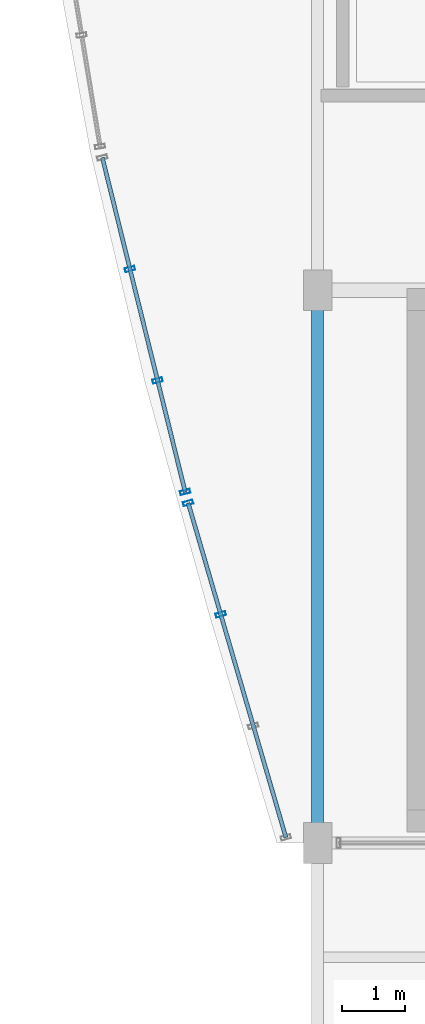
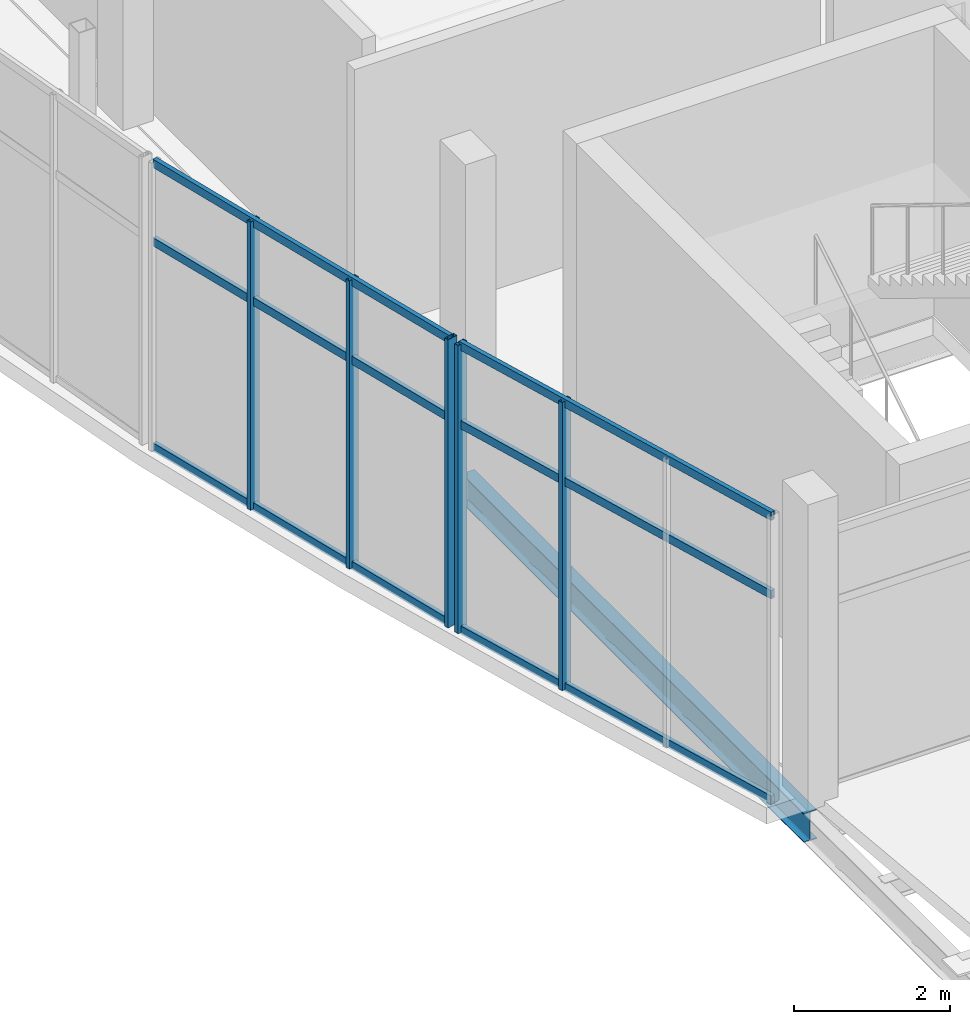
# One storey, part 15 of 157: 11 members, 1 beam, 2 elements without a shape of their own.
"""IFC4 building model written with IfcOpenShell, lengths in metres."""

from ifc_helpers import new_model, si_unit, direction, frame, origin, origin_2d, place, context, subcontext, project, spatial, hollow_rectangle, i_section, extrude, material, layer, layer_set, material_profile, profile_set, type_object, element, aggregate, save


model = new_model("IFC4")

# Units and contexts
model_context = context("Model", 3, precision=1e-05, world=origin(), true_north=direction((0.0, 1.0)))
body_context = subcontext(model_context, "Body", "Model", "MODEL_VIEW")
ifc_project = project(units=[si_unit("LENGTHUNIT", "METRE"), si_unit("AREAUNIT", "SQUARE_METRE"), si_unit("VOLUMEUNIT", "CUBIC_METRE"), si_unit("PLANEANGLEUNIT", "RADIAN"), si_unit("MASSUNIT", "GRAM", prefix="KILO")], contexts=[model_context])

# Site, building, storey
site_placement = place(None, origin())
site = spatial("IfcSite", under=ifc_project, at=site_placement, CompositionType="ELEMENT")
building_placement = place(site_placement, origin())
building = spatial("IfcBuilding", under=site, at=building_placement, Name="Chalmorin Arch Market", CompositionType="ELEMENT")
storey_placement = place(building_placement, frame((0.0, 0.0, 4.800048828125)))
storey = spatial("IfcBuildingStorey", under=building, at=storey_placement, Name="L01", CompositionType="ELEMENT", Elevation=4.800048828125)

# Curtain wall, members
ifc_material_1 = material(Name="Aluminium 6063-T6", Category="aluminium")
ifc_layer_1 = layer(ifc_material_1, 0.159912109375)
ifc_layer_set_1 = layer_set([ifc_layer_1], Name="Aluminium 6063-T6")
curtain_wall_type_1 = type_object("IfcCurtainWallType", Name="RiverfrontStorefrontCurtainWall-CW2-5550x4520", PredefinedType="NOTDEFINED", material=ifc_layer_set_1)
curtain_wall_1_placement = place(storey_placement, origin())
curtain_wall_1 = element("IfcCurtainWall", 1, at=curtain_wall_1_placement, inside=storey, type_object=curtain_wall_type_1, Name="CW-02-046", PredefinedType="NOTDEFINED")
ifc_material_profile_1 = material_profile(ifc_material_1, hollow_rectangle(XDim=0.06494140625, YDim=0.159912109375, WallThickness=0.00390625, at=origin_2d()), Name="ALU65X160X4")
ifc_profile_set_1 = profile_set([ifc_material_profile_1], Name="Aluminium 6063-T6")
member_type_1 = type_object("IfcMemberType", Name="CurtainWallMullion-65x160", PredefinedType="MULLION", material=ifc_profile_set_1)
member_1_placement = place(storey_placement, frame((-1.54296875, 9.637939453125, 0.0), z_axis=(0.0, 0.0, 1.0), x_axis=(-0.275637355817, 0.961261695938, 0.0)))
member_1 = element("IfcMember", 2, at=member_1_placement, type_object=member_type_1, Name="ML-046-03", PredefinedType="MULLION", context=body_context, shape_type="SweptSolid", body=[
    extrude(hollow_rectangle(XDim=0.06494140625, YDim=0.159912109375, WallThickness=0.00390625, at=origin_2d()), origin(), (0.0, 0.0, 1.0), 4.52001953125),
])
member_2_placement = place(storey_placement, frame((-2.061767578125, 11.41357421875, 0.0), z_axis=(0.0, 0.0, 1.0), x_axis=(-0.275637355817, 0.961261695938, 0.0)))
member_2 = element("IfcMember", 3, at=member_2_placement, type_object=member_type_1, Name="ML-046-04", PredefinedType="MULLION", context=body_context, shape_type="SweptSolid", body=[
    extrude(hollow_rectangle(XDim=0.06494140625, YDim=0.159912109375, WallThickness=0.00390625, at=origin_2d()), origin(), (0.0, 0.0, 1.0), 4.52001953125),
])

ifc_layer_2 = layer(ifc_material_1, 0.159912109375)
ifc_layer_set_2 = layer_set([ifc_layer_2], Name="Aluminium 6063-T6")
curtain_wall_type_2 = type_object("IfcCurtainWallType", Name="RiverfrontStorefrontCurtainWall-CW2-5490x4520", PredefinedType="NOTDEFINED", material=ifc_layer_set_2)
curtain_wall_2_placement = place(storey_placement, origin())
curtain_wall_2 = element("IfcCurtainWall", 4, at=curtain_wall_2_placement, inside=storey, type_object=curtain_wall_type_2, Name="CW-02-049", PredefinedType="NOTDEFINED")
member_3_placement = place(storey_placement, frame((-2.108642578125, 11.58740234375, 0.0), z_axis=(0.0, 0.0, 1.0), x_axis=(-0.2419218956, 0.970295726276, 0.0)))
member_3 = element("IfcMember", 5, at=member_3_placement, type_object=member_type_1, Name="ML-049-01", PredefinedType="MULLION", context=body_context, shape_type="SweptSolid", body=[
    extrude(hollow_rectangle(XDim=0.06494140625, YDim=0.159912109375, WallThickness=0.00390625, at=origin_2d()), origin(), (0.0, 0.0, 1.0), 4.52001953125),
])
member_4_placement = place(storey_placement, frame((-2.548583984375, 13.362548828125, 0.0), z_axis=(0.0, 0.0, 1.0), x_axis=(-0.2419218956, 0.970295726276, 0.0)))
member_4 = element("IfcMember", 6, at=member_4_placement, type_object=member_type_1, Name="ML-049-02", PredefinedType="MULLION", context=body_context, shape_type="SweptSolid", body=[
    extrude(hollow_rectangle(XDim=0.06494140625, YDim=0.159912109375, WallThickness=0.00390625, at=origin_2d()), origin(), (0.0, 0.0, 1.0), 4.52001953125),
])
member_5_placement = place(storey_placement, frame((-2.988525390625, 15.137451171875, 0.0), z_axis=(0.0, 0.0, 1.0), x_axis=(-0.2419218956, 0.970295726276, 0.0)))
member_5 = element("IfcMember", 7, at=member_5_placement, type_object=member_type_1, Name="ML-049-03", PredefinedType="MULLION", context=body_context, shape_type="SweptSolid", body=[
    extrude(hollow_rectangle(XDim=0.06494140625, YDim=0.159912109375, WallThickness=0.00390625, at=origin_2d()), origin(), (0.0, 0.0, 1.0), 4.52001953125),
])

# Member
ifc_material_profile_2 = material_profile(ifc_material_1, hollow_rectangle(XDim=0.06494140625, YDim=0.1298828125, WallThickness=0.00390625, at=origin_2d()), Name="ALU65X130X4")
ifc_profile_set_2 = profile_set([ifc_material_profile_2], Name="Aluminium 6063-T6")
member_type_2 = type_object("IfcMemberType", Name="CurtainWallTransom-65x130", PredefinedType="USERDEFINED", material=ifc_profile_set_2)
member_6_placement = place(storey_placement, frame((-0.505126953125, 6.08642578125, 0.034912109375), z_axis=(-0.280479701461, 0.959859957008, 0.0), x_axis=(-0.959859957008, -0.280479701461, 0.0)))
member_6 = element("IfcMember", 8, at=member_6_placement, type_object=member_type_2, Name="TR-046-01", ObjectType="TRANSOM", PredefinedType="USERDEFINED", context=body_context, shape_type="SweptSolid", body=[
    extrude(hollow_rectangle(XDim=0.06494140625, YDim=0.1298828125, WallThickness=0.00390625, at=origin_2d()), origin(), (0.0, 0.0, 1.0), 5.5498046875),
])

member_7_placement = place(storey_placement, frame((-0.505126953125, 6.08642578125, 3.25439453125), z_axis=(-0.280479701461, 0.959859957008, 0.0), x_axis=(-0.959859957008, -0.280479701461, 0.0)))
member_7 = element("IfcMember", 9, at=member_7_placement, type_object=member_type_2, Name="TR-046-02", ObjectType="TRANSOM", PredefinedType="USERDEFINED", context=body_context, shape_type="SweptSolid", body=[
    extrude(hollow_rectangle(XDim=0.06494140625, YDim=0.1298828125, WallThickness=0.00390625, at=origin_2d()), origin(), (0.0, 0.0, 1.0), 5.5498046875),
])

member_8_placement = place(storey_placement, frame((-0.505126953125, 6.08642578125, 4.48486328125), z_axis=(-0.280479701461, 0.959859957008, 0.0), x_axis=(-0.959859957008, -0.280479701461, 0.0)))
member_8 = element("IfcMember", 10, at=member_8_placement, type_object=member_type_2, Name="TR-046-03", ObjectType="TRANSOM", PredefinedType="USERDEFINED", context=body_context, shape_type="SweptSolid", body=[
    extrude(hollow_rectangle(XDim=0.06494140625, YDim=0.1298828125, WallThickness=0.00390625, at=origin_2d()), origin(), (0.0, 0.0, 1.0), 5.5498046875),
])

aggregate(curtain_wall_1, [member_1, member_2, member_6, member_7, member_8])

member_9_placement = place(storey_placement, frame((-2.108642578125, 11.58740234375, 0.034912109375), z_axis=(-0.240566657981, 0.970632620031, 0.0), x_axis=(-0.970632620031, -0.240566657981, 0.0)))
member_9 = element("IfcMember", 11, at=member_9_placement, type_object=member_type_2, Name="TR-049-01", ObjectType="TRANSOM", PredefinedType="USERDEFINED", context=body_context, shape_type="SweptSolid", body=[
    extrude(hollow_rectangle(XDim=0.06494140625, YDim=0.1298828125, WallThickness=0.00390625, at=origin_2d()), origin(), (0.0, 0.0, 1.0), 5.486328125),
])

member_10_placement = place(storey_placement, frame((-2.108642578125, 11.58740234375, 3.25439453125), z_axis=(-0.240566657981, 0.970632620031, 0.0), x_axis=(-0.970632620031, -0.240566657981, 0.0)))
member_10 = element("IfcMember", 12, at=member_10_placement, type_object=member_type_2, Name="TR-049-02", ObjectType="TRANSOM", PredefinedType="USERDEFINED", context=body_context, shape_type="SweptSolid", body=[
    extrude(hollow_rectangle(XDim=0.06494140625, YDim=0.1298828125, WallThickness=0.00390625, at=origin_2d()), origin(), (0.0, 0.0, 1.0), 5.486328125),
])

member_11_placement = place(storey_placement, frame((-2.108642578125, 11.58740234375, 4.48486328125), z_axis=(-0.240566657981, 0.970632620031, 0.0), x_axis=(-0.970632620031, -0.240566657981, 0.0)))
member_11 = element("IfcMember", 13, at=member_11_placement, type_object=member_type_2, Name="TR-049-03", ObjectType="TRANSOM", PredefinedType="USERDEFINED", context=body_context, shape_type="SweptSolid", body=[
    extrude(hollow_rectangle(XDim=0.06494140625, YDim=0.1298828125, WallThickness=0.00390625, at=origin_2d()), origin(), (0.0, 0.0, 1.0), 5.486328125),
])

aggregate(curtain_wall_2, [member_3, member_4, member_5, member_9, member_10, member_11])

# Beam
ifc_material_2 = material(Name="Steel A992 Grade 50", Category="steel")
ifc_material_profile_3 = material_profile(ifc_material_2, i_section(OverallWidth=0.19091796875, OverallDepth=0.45703125, WebThickness=0.009033203125, FlangeThickness=0.014404296875, FilletRadius=0.02001953125, at=origin_2d()), Name="W18X50")
ifc_profile_set_3 = profile_set([ifc_material_profile_3], Name="Steel A992 Grade 50")
beam_type = type_object("IfcBeamType", Name="PerimeterSpandrelBeam-W18X50", PredefinedType="SPANDREL", material=ifc_profile_set_3)
beam_placement = place(storey_placement, frame((0.0, 6.0, -0.510498046875), z_axis=(0.0, 1.0, 0.0), x_axis=(-1.0, 0.0, 0.0)))
element("IfcBeam", 14, at=beam_placement, inside=storey, type_object=beam_type, Name="SP-W18-0800", PredefinedType="SPANDREL", context=body_context, shape_type="SweptSolid", body=[
    extrude(i_section(OverallWidth=0.19091796875, OverallDepth=0.45703125, WebThickness=0.009033203125, FlangeThickness=0.014404296875, FilletRadius=0.02001953125, at=origin_2d()), origin(), (0.0, 0.0, 1.0), 8.800048828125),
])

save(model, "model.ifc")
